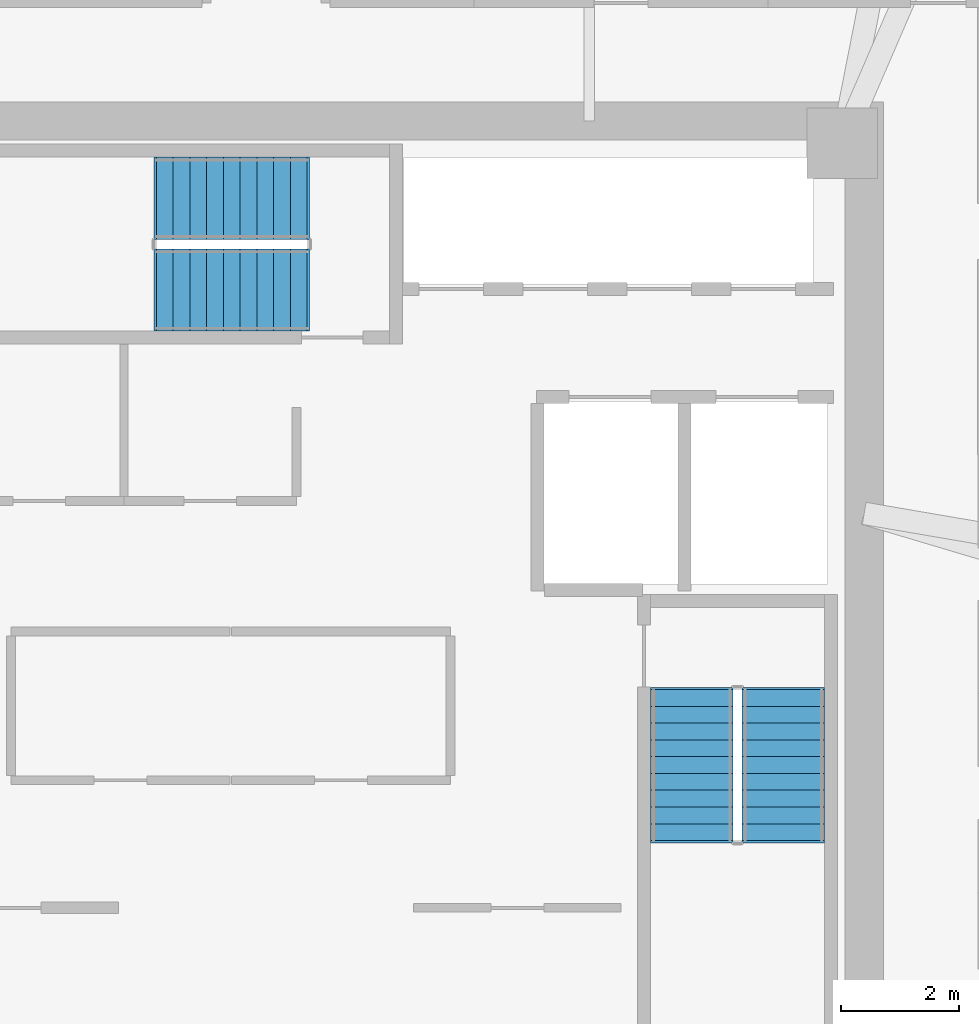
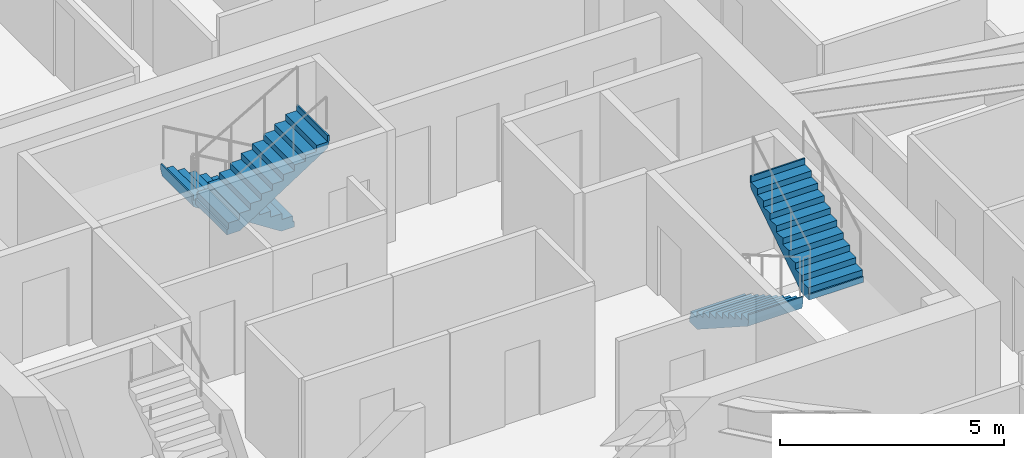
# One storey, part 13 of 14: 4 stair flights, 2 elements without a shape of their own.
"""IFC4 building model written with IfcOpenShell, lengths in metres."""

from ifc_helpers import new_model, si_unit, direction, frame, origin, place, context, subcontext, project, spatial, polyline, outline, extrude, material, type_object, element, aggregate, save


model = new_model("IFC4")

# Units and contexts
model_context = context("Model", 3, precision=1e-05, world=origin(), true_north=direction((0.0, 1.0)))
body_context = subcontext(model_context, "Body", "Model", "MODEL_VIEW")
ifc_project = project(units=[si_unit("LENGTHUNIT", "METRE"), si_unit("AREAUNIT", "SQUARE_METRE"), si_unit("VOLUMEUNIT", "CUBIC_METRE"), si_unit("PLANEANGLEUNIT", "RADIAN"), si_unit("MASSUNIT", "GRAM", prefix="KILO")], contexts=[model_context])

# Site, building, storey
site_placement = place(None, origin())
site = spatial("IfcSite", under=ifc_project, at=site_placement, CompositionType="ELEMENT")
building_placement = place(site_placement, origin())
building = spatial("IfcBuilding", under=site, at=building_placement, Name="Durnholm Broadcast Tower", CompositionType="ELEMENT")
storey_placement = place(building_placement, frame((0.0, 0.0, 173.800048828125)))
storey = spatial("IfcBuildingStorey", under=building, at=storey_placement, Name="L47", CompositionType="ELEMENT", Elevation=173.800048828125)

# Stair, stair flights
ifc_material = material(Name="Concrete C50/60", Category="concrete")
stair_type = type_object("IfcStairType", Name="STAIR-DL-20R1650", PredefinedType="HALF_TURN_STAIR", material=ifc_material)
stair_1_placement = place(storey_placement, origin())
stair_1 = element("IfcStair", 1, at=stair_1_placement, inside=storey, type_object=stair_type, Name="L47 ST-2", PredefinedType="HALF_TURN_STAIR")
stair_flight_type = type_object("IfcStairFlightType", Name="FLIGHT-DL-20R1650", PredefinedType="STRAIGHT", material=ifc_material)
stair_flight_1_placement = place(storey_placement, frame((7.239990234375, -1.5, 0.0), z_axis=(0.0, 0.0, 1.0), x_axis=(0.0, -1.0, 0.0)))
stair_flight_1 = element("IfcStairFlight", 2, at=stair_flight_1_placement, type_object=stair_flight_type, Name="ST-2 flight 1", NumberOfRisers=10, NumberOfTreads=9, PredefinedType="STRAIGHT", RiserHeight=0.165, TreadLength=0.285, context=body_context, shape_type="SweptSolid", body=[
    extrude(outline(polyline([(-0.0400390625, -0.14990234375), (-0.0400390625, 0.0), (0.0, 0.0), (0.0, 0.1650390625), (0.284912109375, 0.1650390625), (0.284912109375, 0.330078125), (0.570068359375, 0.330078125), (0.570068359375, 0.4951171875), (0.85498046875, 0.4951171875), (0.85498046875, 0.659912109375), (1.139892578125, 0.659912109375), (1.139892578125, 0.824951171875), (1.425048828125, 0.824951171875), (1.425048828125, 0.989990234375), (1.7099609375, 0.989990234375), (1.7099609375, 1.155029296875), (1.9951171875, 1.155029296875), (1.9951171875, 1.320068359375), (2.280029296875, 1.320068359375), (2.280029296875, 1.485107421875), (2.56494140625, 1.485107421875), (2.56494140625, 1.64990234375), (2.60498046875, 1.64990234375), (2.60498046875, 1.5), (2.56494140625, 1.311767578125), (0.299072265625, -0.14990234375), (-0.0400390625, -0.14990234375)])), frame((0.0, 0.699951171875, 0.0), z_axis=(0.0, -1.0, 0.0), x_axis=(1.0, 0.0, 0.0)), (0.0, 0.0, 1.0), 1.39990234375),
])
stair_flight_2_placement = place(storey_placement, frame((8.800048828125, -4.06494140625, 1.64990234375), z_axis=(0.0, 0.0, 1.0), x_axis=(0.0, 1.0, 0.0)))
stair_flight_2 = element("IfcStairFlight", 3, at=stair_flight_2_placement, type_object=stair_flight_type, Name="ST-2 flight 2", NumberOfRisers=10, NumberOfTreads=9, PredefinedType="STRAIGHT", RiserHeight=0.165, TreadLength=0.285, context=body_context, shape_type="SweptSolid", body=[
    extrude(outline(polyline([(-0.0400390625, -0.14990234375), (-0.0400390625, 0.0), (0.0, 0.0), (0.0, 0.1650390625), (0.284912109375, 0.1650390625), (0.284912109375, 0.330078125), (0.570068359375, 0.330078125), (0.570068359375, 0.4951171875), (0.85498046875, 0.4951171875), (0.85498046875, 0.659912109375), (1.139892578125, 0.659912109375), (1.139892578125, 0.824951171875), (1.425048828125, 0.824951171875), (1.425048828125, 0.989990234375), (1.7099609375, 0.989990234375), (1.7099609375, 1.155029296875), (1.9951171875, 1.155029296875), (1.9951171875, 1.320068359375), (2.280029296875, 1.320068359375), (2.280029296875, 1.485107421875), (2.56494140625, 1.485107421875), (2.56494140625, 1.64990234375), (2.60498046875, 1.64990234375), (2.60498046875, 1.5), (2.56494140625, 1.311767578125), (0.299072265625, -0.14990234375), (-0.0400390625, -0.14990234375)])), frame((0.0, 0.699951171875, 0.0), z_axis=(0.0, -1.0, 0.0), x_axis=(1.0, 0.0, 0.0)), (0.0, 0.0, 1.0), 1.39990234375),
])
aggregate(stair_1, [stair_flight_1, stair_flight_2])

stair_2_placement = place(storey_placement, origin())
stair_2 = element("IfcStair", 4, at=stair_2_placement, inside=storey, type_object=stair_type, Name="L47 ST-3", PredefinedType="HALF_TURN_STAIR")
stair_flight_3_placement = place(storey_placement, frame((0.699951171875, 6.860107421875, 0.0), z_axis=(0.0, 0.0, 1.0), x_axis=(-1.0, 0.0, 0.0)))
stair_flight_3 = element("IfcStairFlight", 5, at=stair_flight_3_placement, type_object=stair_flight_type, Name="ST-3 flight 1", NumberOfRisers=10, NumberOfTreads=9, PredefinedType="STRAIGHT", RiserHeight=0.165, TreadLength=0.285, context=body_context, shape_type="SweptSolid", body=[
    extrude(outline(polyline([(-0.0400390625, -0.14990234375), (-0.0400390625, 0.0), (0.0, 0.0), (0.0, 0.1650390625), (0.284912109375, 0.1650390625), (0.284912109375, 0.330078125), (0.570068359375, 0.330078125), (0.570068359375, 0.4951171875), (0.85498046875, 0.4951171875), (0.85498046875, 0.659912109375), (1.139892578125, 0.659912109375), (1.139892578125, 0.824951171875), (1.425048828125, 0.824951171875), (1.425048828125, 0.989990234375), (1.7099609375, 0.989990234375), (1.7099609375, 1.155029296875), (1.9951171875, 1.155029296875), (1.9951171875, 1.320068359375), (2.280029296875, 1.320068359375), (2.280029296875, 1.485107421875), (2.56494140625, 1.485107421875), (2.56494140625, 1.64990234375), (2.60498046875, 1.64990234375), (2.60498046875, 1.5), (2.56494140625, 1.311767578125), (0.299072265625, -0.14990234375), (-0.0400390625, -0.14990234375)])), frame((0.0, 0.699951171875, 0.0), z_axis=(0.0, -1.0, 0.0), x_axis=(1.0, 0.0, 0.0)), (0.0, 0.0, 1.0), 1.39990234375),
])
stair_flight_4_placement = place(storey_placement, frame((-1.864990234375, 5.300048828125, 1.64990234375), z_axis=(0.0, 0.0, 1.0), x_axis=(1.0, 0.0, 0.0)))
stair_flight_4 = element("IfcStairFlight", 6, at=stair_flight_4_placement, type_object=stair_flight_type, Name="ST-3 flight 2", NumberOfRisers=10, NumberOfTreads=9, PredefinedType="STRAIGHT", RiserHeight=0.165, TreadLength=0.285, context=body_context, shape_type="SweptSolid", body=[
    extrude(outline(polyline([(-0.0400390625, -0.14990234375), (-0.0400390625, 0.0), (0.0, 0.0), (0.0, 0.1650390625), (0.284912109375, 0.1650390625), (0.284912109375, 0.330078125), (0.570068359375, 0.330078125), (0.570068359375, 0.4951171875), (0.85498046875, 0.4951171875), (0.85498046875, 0.659912109375), (1.139892578125, 0.659912109375), (1.139892578125, 0.824951171875), (1.425048828125, 0.824951171875), (1.425048828125, 0.989990234375), (1.7099609375, 0.989990234375), (1.7099609375, 1.155029296875), (1.9951171875, 1.155029296875), (1.9951171875, 1.320068359375), (2.280029296875, 1.320068359375), (2.280029296875, 1.485107421875), (2.56494140625, 1.485107421875), (2.56494140625, 1.64990234375), (2.60498046875, 1.64990234375), (2.60498046875, 1.5), (2.56494140625, 1.311767578125), (0.299072265625, -0.14990234375), (-0.0400390625, -0.14990234375)])), frame((0.0, 0.699951171875, 0.0), z_axis=(0.0, -1.0, 0.0), x_axis=(1.0, 0.0, 0.0)), (0.0, 0.0, 1.0), 1.39990234375),
])
aggregate(stair_2, [stair_flight_3, stair_flight_4])

save(model, "model.ifc")
